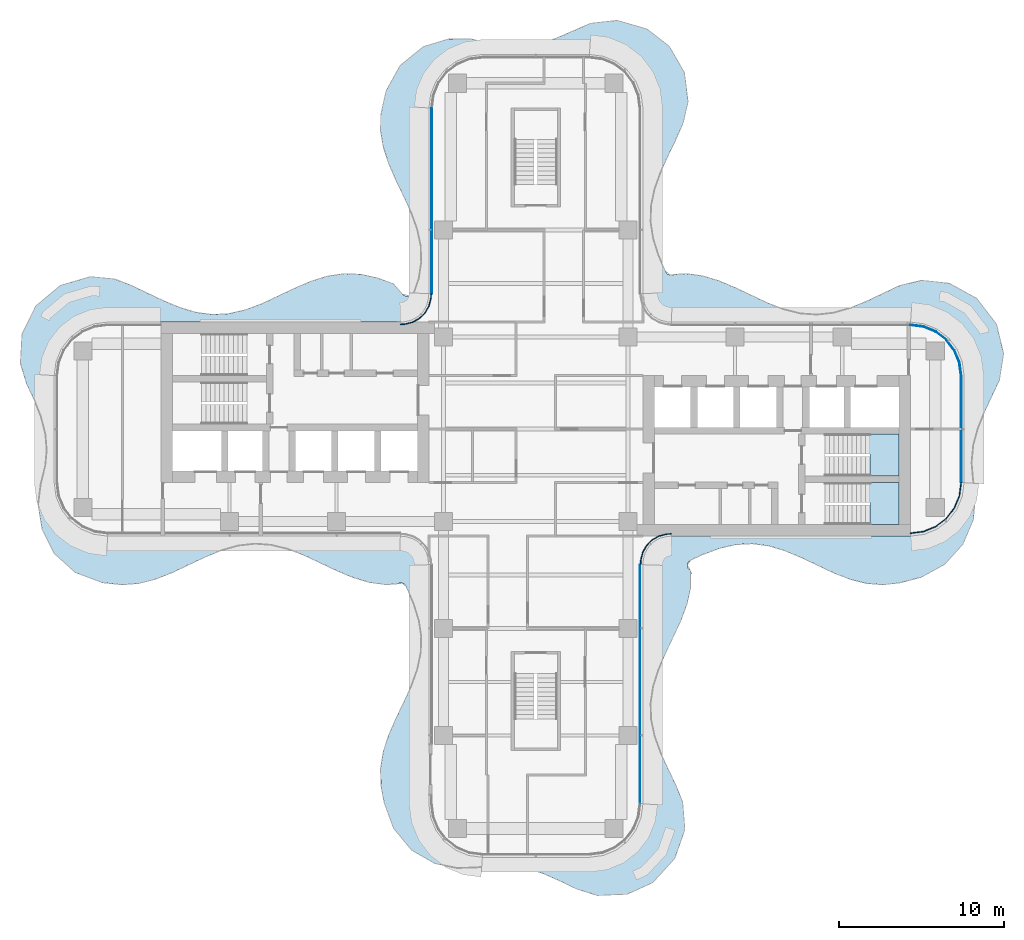
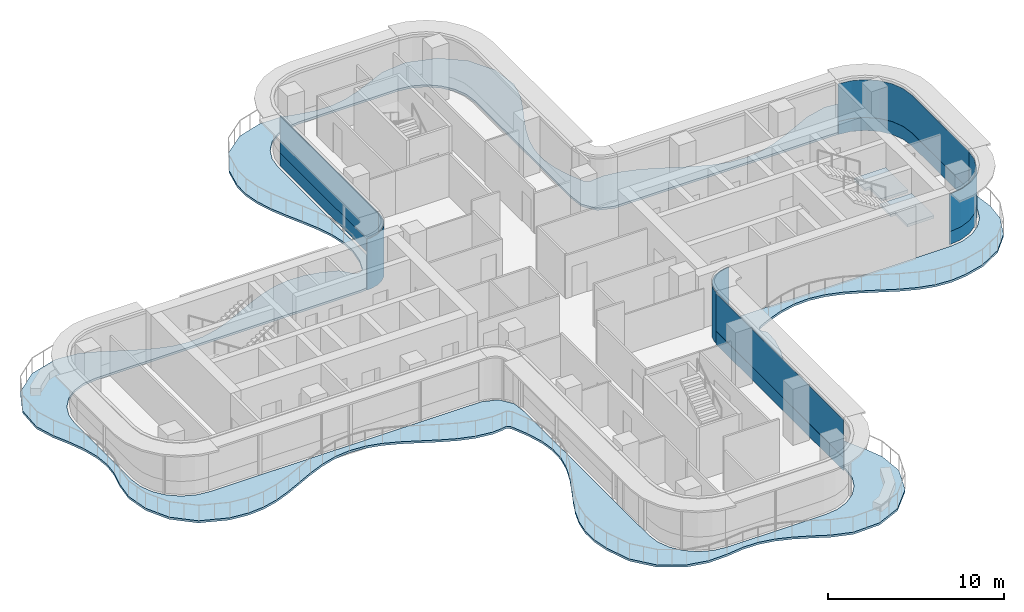
# One storey, part 10 of 17: 10 plates, 3 slabs, 8 elements without a shape of their own.
"""IFC4 building model written with IfcOpenShell, lengths in metres."""

import ifcopenshell
import ifcopenshell.guid

model = None  # the IFC model being written
_history = None  # IfcOwnerHistory: only IFC2X3 demands one
_inside = {}  # id of a spatial element -> (the spatial element, [elements in it])
_under = {}  # id of a project, library or spatial element -> (it, [spatial elements below it])
_declared = {}  # id of a project -> (the project, [libraries it declares])
_typed = {}  # id of a type object -> (the type object, [elements of that type])
_made_of = {}  # id of a material, layer set ... -> (it, [elements and type objects made of it])


def new_model(schema):
    """Start an empty IFC model of exactly this schema.

    Asked for "IFC4X3", IfcOpenShell would pick the latest addendum, in which some entities
    have other attributes; the version numbers below select the first issue.
    IFC2X3 requires an IfcOwnerHistory on every rooted entity: one is made here for all.
    """
    global model, _history
    if schema == "IFC4X3":
        model = ifcopenshell.file(schema_version=(4, 3, 0, 0))
    else:
        model = ifcopenshell.file(schema=schema)
    _inside.clear()
    _under.clear()
    _declared.clear()
    _typed.clear()
    _made_of.clear()
    _history = None
    if model.schema == "IFC2X3":
        org = make("IfcOrganization", Name="unknown")
        user = make(
            "IfcPersonAndOrganization",
            ThePerson=make("IfcPerson", FamilyName="unknown"),
            TheOrganization=org,
        )
        app = make(
            "IfcApplication",
            ApplicationDeveloper=org,
            Version="unknown",
            ApplicationFullName="unknown",
            ApplicationIdentifier="unknown",
        )
        _history = make(
            "IfcOwnerHistory",
            OwningUser=user,
            OwningApplication=app,
            ChangeAction="ADDED",
            CreationDate=0,
        )
    return model


def make(cls, **values):
    """One entity of the class cls with the attributes given. An attribute that is None is left unset."""
    return model.create_entity(
        cls, **{name: value for name, value in values.items() if value is not None}
    )


def rooted(cls, **values):
    """An entity with a GlobalId (a new one), such as an element, a storey or a relation."""
    return make(cls, GlobalId=ifcopenshell.guid.new(), OwnerHistory=_history, **values)


def si_unit(unit_type, name, prefix=None):
    """IfcSIUnit, for example si_unit("LENGTHUNIT", "METRE", prefix="MILLI")."""
    return make("IfcSIUnit", UnitType=unit_type, Prefix=prefix, Name=name)


def assignment(units):
    """IfcUnitAssignment: the units of a project."""
    return None if units is None else make("IfcUnitAssignment", Units=units)


def point(xyz):
    """IfcCartesianPoint."""
    return None if xyz is None else make("IfcCartesianPoint", Coordinates=xyz)


def direction(xyz):
    """IfcDirection."""
    return None if xyz is None else make("IfcDirection", DirectionRatios=xyz)


def frame(location, z_axis=None, x_axis=None):
    """IfcAxis2Placement3D, a coordinate frame: its origin and axes. An axis left out is left unset."""
    return make(
        "IfcAxis2Placement3D",
        Location=point(location),
        Axis=direction(z_axis),
        RefDirection=direction(x_axis),
    )


def origin():
    """The frame at (0, 0, 0) with its axes left unset."""
    return frame((0.0, 0.0, 0.0))


def place(relative_to, where):
    """IfcLocalPlacement: puts the frame where relative to a parent placement (None: the world)."""
    return make(
        "IfcLocalPlacement", PlacementRelTo=relative_to, RelativePlacement=where
    )


def context(
    kind, dimensions, precision=None, world=None, true_north=None, identifier=None
):
    """IfcGeometricRepresentationContext, for example the 3D "Model" context."""
    return make(
        "IfcGeometricRepresentationContext",
        ContextIdentifier=identifier,
        ContextType=kind,
        CoordinateSpaceDimension=dimensions,
        Precision=precision,
        WorldCoordinateSystem=world,
        TrueNorth=true_north,
    )


def subcontext(parent, identifier, kind, view, scale=None):
    """IfcGeometricRepresentationSubContext, for example "Body" below "Model"."""
    return make(
        "IfcGeometricRepresentationSubContext",
        ContextIdentifier=identifier,
        ContextType=kind,
        ParentContext=parent,
        TargetScale=scale,
        TargetView=view,
    )


def project(units=None, contexts=None):
    """IfcProject with its units and contexts."""
    return rooted(
        "IfcProject",
        Name="project",
        RepresentationContexts=contexts,
        UnitsInContext=assignment(units),
    )


def spatial(cls, under=None, at=None, **own):
    """A site, building, storey or space (cls), placed at a placement, below another one or the project."""
    s = rooted(cls, ObjectPlacement=at, **own)
    if under is not None:
        _under.setdefault(under.id(), (under, []))[1].append(s)
    return s


def polyline(points):
    """IfcPolyline through the points."""
    return make("IfcPolyline", Points=[point(p) for p in points])


def outline(outer, holes=None, kind="AREA"):
    """IfcArbitraryClosedProfileDef: a profile drawn as a closed curve; with holes, ...WithVoids."""
    if holes is None:
        return make("IfcArbitraryClosedProfileDef", ProfileType=kind, OuterCurve=outer)
    return make(
        "IfcArbitraryProfileDefWithVoids",
        ProfileType=kind,
        OuterCurve=outer,
        InnerCurves=holes,
    )


def extrude(swept, where, along, depth):
    """IfcExtrudedAreaSolid: the profile swept, set in the frame where, extruded along a direction by depth."""
    return make(
        "IfcExtrudedAreaSolid",
        SweptArea=swept,
        Position=where,
        ExtrudedDirection=direction(along),
        Depth=depth,
    )


def shape(context_of_items, identifier, shape_type, items):
    """IfcShapeRepresentation: the items that make up one representation, for example the "Body"."""
    return make(
        "IfcShapeRepresentation",
        ContextOfItems=context_of_items,
        RepresentationIdentifier=identifier,
        RepresentationType=shape_type,
        Items=items,
    )


def source(mapping_origin, context_of_items, identifier, shape_type, items):
    """IfcRepresentationMap: a shape defined once, which mapped items show again and again."""
    return make(
        "IfcRepresentationMap",
        MappingOrigin=mapping_origin,
        MappedRepresentation=shape(context_of_items, identifier, shape_type, items),
    )


def transform(
    local_origin,
    x_axis=None,
    y_axis=None,
    z_axis=None,
    scale=None,
    scale2=None,
    scale3=None,
    uniform=True,
):
    """IfcCartesianTransformationOperator3D, or its non-uniform kind. x_axis, y_axis, z_axis: its Axis1, 2, 3."""
    if uniform:
        return make(
            "IfcCartesianTransformationOperator3D",
            Axis1=direction(x_axis),
            Axis2=direction(y_axis),
            LocalOrigin=point(local_origin),
            Scale=scale,
            Axis3=direction(z_axis),
        )
    return make(
        "IfcCartesianTransformationOperator3DnonUniform",
        Axis1=direction(x_axis),
        Axis2=direction(y_axis),
        LocalOrigin=point(local_origin),
        Scale=scale,
        Axis3=direction(z_axis),
        Scale2=scale2,
        Scale3=scale3,
    )


def mapped(mapping_source, mapping_target):
    """IfcMappedItem: shows the shape of a source again, moved by a transform."""
    return make(
        "IfcMappedItem", MappingSource=mapping_source, MappingTarget=mapping_target
    )


def material(Name=None, Category=None):
    """IfcMaterial."""
    return make("IfcMaterial", Name=Name, Category=Category)


def layer(
    of_material, thickness, ventilated=None, Name=None, Category=None, Priority=None
):
    """IfcMaterialLayer: one layer of a wall or slab, of a material (None: an air gap)."""
    return make(
        "IfcMaterialLayer",
        Material=of_material,
        LayerThickness=thickness,
        IsVentilated=ventilated,
        Name=Name,
        Category=Category,
        Priority=Priority,
    )


def layer_set(layers, Name=None):
    """IfcMaterialLayerSet."""
    return make("IfcMaterialLayerSet", MaterialLayers=layers, LayerSetName=Name)


def made_of(thing, what):
    """Note that an element or type object is made of a material, layer set ...; save() writes the relation."""
    if what is not None:
        _made_of.setdefault(what.id(), (what, []))[1].append(thing)
    return thing


def type_object(cls, material=None, **own):
    """A type object (cls), such as IfcWallType, which elements share."""
    return made_of(rooted(cls, **own), material)


def element(
    cls,
    number,
    at=None,
    inside=None,
    cuts=None,
    type_object=None,
    material=None,
    context=None,
    identifier="Body",
    shape_type=None,
    held_by="IfcProductDefinitionShape",
    body=None,
    shapes=None,
    **own,
):
    """One element of the class cls, such as IfcWall. Its Tag is "e" and its number.

    at: its placement. inside: the storey or other place that contains it. cuts: it is an
    opening in that element (IfcRelVoidsElement). A single representation is given by context,
    identifier, shape_type and body (its items); several are given by shapes. held_by: the class
    of the entity that holds the representations. save() writes the other relations.
    """
    e = rooted(cls, Tag="e%d" % number, ObjectPlacement=at, **own)
    if body is not None:
        shapes = [shape(context, identifier, shape_type, body)]
    if shapes is not None:
        e.Representation = make(held_by, Representations=shapes)
    if inside is not None:
        _inside.setdefault(inside.id(), (inside, []))[1].append(e)
    if cuts is not None:
        rooted(
            "IfcRelVoidsElement", RelatingBuildingElement=cuts, RelatedOpeningElement=e
        )
    if type_object is not None:
        _typed.setdefault(type_object.id(), (type_object, []))[1].append(e)
    return made_of(e, material)


def aggregate(whole, parts):
    """IfcRelAggregates: a whole, such as a stair, and the parts it consists of."""
    return rooted("IfcRelAggregates", RelatingObject=whole, RelatedObjects=parts)


def save(model, path):
    """Write the relations noted so far, then the file.

    IfcRelAggregates (storeys below a building ...), IfcRelContainedInSpatialStructure (elements
    in a storey), IfcRelDefinesByType, IfcRelAssociatesMaterial and IfcRelDeclares: one each for
    every whole, place, type object, material and project.
    """
    for whole, parts in _under.values():
        aggregate(whole, parts)
    for where, things in _inside.values():
        rooted(
            "IfcRelContainedInSpatialStructure",
            RelatedElements=things,
            RelatingStructure=where,
        )
    for kind, things in _typed.values():
        rooted("IfcRelDefinesByType", RelatedObjects=things, RelatingType=kind)
    for what, things in _made_of.values():
        rooted("IfcRelAssociatesMaterial", RelatedObjects=things, RelatingMaterial=what)
    for by, libraries in _declared.values():
        rooted("IfcRelDeclares", RelatingContext=by, RelatedDefinitions=libraries)
    model.write(path)


model = new_model("IFC4")

# Units and contexts
model_context = context("Model", 3, precision=1e-05, world=origin(), true_north=direction((0.0, 1.0)))
body_context = subcontext(model_context, "Body", "Model", "MODEL_VIEW")
ifc_project = project(units=[si_unit("LENGTHUNIT", "METRE"), si_unit("AREAUNIT", "SQUARE_METRE"), si_unit("VOLUMEUNIT", "CUBIC_METRE"), si_unit("PLANEANGLEUNIT", "RADIAN"), si_unit("MASSUNIT", "GRAM", prefix="KILO")], contexts=[model_context])

# Site, building, storey
site_placement = place(None, origin())
site = spatial("IfcSite", under=ifc_project, at=site_placement, CompositionType="ELEMENT")
building_placement = place(site_placement, origin())
building = spatial("IfcBuilding", under=site, at=building_placement, Name="Trellis Farm Tower", CompositionType="ELEMENT")
storey_placement = place(building_placement, frame((0.0, 0.0, 240.199951171875)))
storey = spatial("IfcBuildingStorey", under=building, at=storey_placement, Name="L53", CompositionType="ELEMENT", Elevation=240.199951171875)

# Slab
ifc_material_1 = material(Name="Concrete C40/50", Category="concrete")
ifc_layer_1 = layer(ifc_material_1, 0.14990234375)
ifc_layer_set_1 = layer_set([ifc_layer_1], Name="Balcony slab 150")
slab_type_1 = type_object("IfcSlabType", Name="Balcony slab 150", PredefinedType="FLOOR", material=ifc_layer_set_1)
slab_1_placement = place(storey_placement, frame((0.0, 0.0, -0.14990234375)))
element("IfcSlab", 1, at=slab_1_placement, inside=storey, type_object=slab_type_1, Name="Balcony slab", PredefinedType="FLOOR", context=body_context, shape_type="SweptSolid", body=[
    extrude(outline(polyline([(-8.15869140625, -9.347900390625), (-8.296630859375, -9.357666015625), (-8.314208984375, -9.361083984375), (-8.3984375, -9.387939453125), (-8.432861328125, -9.39453125), (-9.076171875, -9.4423828125), (-9.107177734375, -9.441650390625), (-10.1103515625, -9.3076171875), (-10.1337890625, -9.302490234375), (-11.109130859375, -9.00830078125), (-11.124267578125, -9.002685546875), (-12.108154296875, -8.587646484375), (-12.114013671875, -8.5849609375), (-14.091796875, -7.64990234375), (-14.096923828125, -7.647705078125), (-15.079345703125, -7.2705078125), (-15.08837890625, -7.267578125), (-16.068359375, -7.02685546875), (-16.080810546875, -7.02490234375), (-17.0634765625, -6.95458984375), (-17.077392578125, -6.954833984375), (-18.06787109375, -7.06787109375), (-18.079833984375, -7.0703125), (-19.078125, -7.353515625), (-19.086181640625, -7.356201171875), (-20.10693359375, -7.77685546875), (-20.1103515625, -7.7783203125), (-22.09912109375, -8.719970703125), (-22.108642578125, -8.72412109375), (-23.099365234375, -9.111328125), (-23.1171875, -9.116943359375), (-24.09912109375, -9.365966796875), (-24.124267578125, -9.3701171875), (-25.098388671875, -9.447021484375), (-25.12548828125, -9.446533203125), (-26.296875, -9.326416015625), (-26.33447265625, -9.3173828125), (-27.950927734375, -8.70849609375), (-27.976806640625, -8.69580078125), (-28.007568359375, -8.6767578125), (-28.030029296875, -8.659912109375), (-29.223876953125, -7.570556640625), (-29.241943359375, -7.55078125), (-29.262939453125, -7.5234375), (-29.277587890625, -7.5), (-29.966064453125, -6.13720703125), (-29.97998046875, -6.09423828125), (-30.226806640625, -4.6181640625), (-30.2275390625, -4.57421875), (-30.06689453125, -3.322509765625), (-30.063720703125, -3.305419921875), (-29.7958984375, -2.229736328125), (-29.7939453125, -2.218994140625), (-29.703857421875, -1.291015625), (-29.703857421875, -1.277587890625), (-29.786376953125, -0.288330078125), (-29.788330078125, -0.275634765625), (-30.05859375, 0.76171875), (-30.061279296875, 0.7705078125), (-30.4521484375, 1.75341796875), (-30.4541015625, 1.757568359375), (-30.918701171875, 2.7470703125), (-30.926513671875, 2.7666015625), (-31.29931640625, 3.976806640625), (-31.304931640625, 4.0029296875), (-31.30908203125, 4.03759765625), (-31.31005859375, 4.064453125), (-31.213134765625, 5.71240234375), (-31.20849609375, 5.741455078125), (-31.19873046875, 5.778564453125), (-31.188720703125, 5.80615234375), (-30.405517578125, 7.417236328125), (-30.388916015625, 7.443603515625), (-30.3642578125, 7.4755859375), (-30.342529296875, 7.498046875), (-28.938720703125, 8.682861328125), (-28.9130859375, 8.7001953125), (-28.877685546875, 8.71923828125), (-28.848876953125, 8.731201171875), (-27.080078125, 9.24951171875), (-27.052001953125, 9.2548828125), (-27.015380859375, 9.25830078125), (-26.986328125, 9.25830078125), (-25.59912109375, 9.119140625), (-25.559814453125, 9.109619140625), (-24.601806640625, 8.73779296875), (-24.591796875, 8.733642578125), (-22.61328125, 7.797119140625), (-22.610107421875, 7.7958984375), (-21.6259765625, 7.384033203125), (-21.618408203125, 7.38134765625), (-20.63818359375, 7.09033203125), (-20.626708984375, 7.087890625), (-19.6455078125, 6.958251953125), (-19.6318359375, 6.957763671875), (-18.644287109375, 7.009765625), (-18.631103515625, 7.011474609375), (-17.591796875, 7.25439453125), (-17.582275390625, 7.25732421875), (-16.600341796875, 7.629638671875), (-16.5947265625, 7.6318359375), (-14.6171875, 8.56591796875), (-14.61181640625, 8.568359375), (-13.627197265625, 8.9873046875), (-13.61279296875, 8.99267578125), (-12.63671875, 9.293212890625), (-12.6142578125, 9.29833984375), (-11.643310546875, 9.438720703125), (-11.615478515625, 9.440185546875), (-10.61279296875, 9.3974609375), (-10.58642578125, 9.393798828125), (-9.614013671875, 9.17626953125), (-9.594970703125, 9.170654296875), (-8.67919921875, 8.83349609375), (-8.643798828125, 8.81494140625), (-8.602294921875, 8.78515625), (-8.573974609375, 8.759033203125), (-8.102294921875, 8.19140625), (-8.08349609375, 8.175048828125), (-7.9306640625, 8.082763671875), (-7.886962890625, 8.072265625), (-7.7080078125, 8.0869140625), (-7.685302734375, 8.09228515625), (-7.59326171875, 8.13037109375), (-7.579345703125, 8.1376953125), (-7.47900390625, 8.206787109375), (-7.457763671875, 8.229248046875), (-7.39404296875, 8.3330078125), (-7.38720703125, 8.34765625), (-7.116455078125, 9.129638671875), (-7.113037109375, 9.142822265625), (-6.963623046875, 10.128662109375), (-6.962890625, 10.142333984375), (-6.995361328125, 11.12646484375), (-6.996826171875, 11.139404296875), (-7.2041015625, 12.119384765625), (-7.20703125, 12.129150390625), (-7.548828125, 13.084228515625), (-7.551025390625, 13.08984375), (-8.00634765625, 14.09521484375), (-8.007080078125, 14.096923828125), (-8.490966796875, 15.099365234375), (-8.4931640625, 15.104248046875), (-8.923583984375, 16.083984375), (-8.9287109375, 16.09716796875), (-9.25244140625, 17.07421875), (-9.2578125, 17.095703125), (-9.427001953125, 18.067138671875), (-9.42919921875, 18.09423828125), (-9.420654296875, 19.062255859375), (-9.4169921875, 19.093017578125), (-9.110107421875, 20.5), (-9.0947265625, 20.541015625), (-8.240478515625, 22.082275390625), (-8.223876953125, 22.106201171875), (-8.199462890625, 22.13525390625), (-8.178466796875, 22.155517578125), (-6.8837890625, 23.191650390625), (-6.860595703125, 23.20703125), (-6.8291015625, 23.223876953125), (-6.802490234375, 23.23486328125), (-5.299560546875, 23.695556640625), (-5.253173828125, 23.7021484375), (-3.911376953125, 23.68017578125), (-3.879638671875, 23.67626953125), (-2.760498046875, 23.414306640625), (-2.757080078125, 23.413818359375), (-1.789306640625, 23.232666015625), (-1.775634765625, 23.231201171875), (-0.727783203125, 23.227294921875), (-0.714111328125, 23.228515625), (0.26611328125, 23.408203125), (0.2763671875, 23.410888671875), (1.227783203125, 23.73046875), (1.233642578125, 23.73291015625), (3.321533203125, 24.63818359375), (3.365234375, 24.649658203125), (4.930908203125, 24.8173828125), (4.9609375, 24.8173828125), (4.99853515625, 24.81396484375), (5.02734375, 24.808349609375), (6.71337890625, 24.304931640625), (6.7392578125, 24.29443359375), (6.771484375, 24.27783203125), (6.794921875, 24.2626953125), (8.09423828125, 23.249267578125), (8.115478515625, 23.22900390625), (8.140380859375, 23.2001953125), (8.1572265625, 23.176025390625), (9.00341796875, 21.682373046875), (9.015380859375, 21.655517578125), (9.02734375, 21.619140625), (9.033935546875, 21.59033203125), (9.241455078125, 19.886474609375), (9.2421875, 19.859619140625), (9.240234375, 19.82470703125), (9.236083984375, 19.7978515625), (8.943115234375, 18.60009765625), (8.934814453125, 18.575927734375), (8.512939453125, 17.608154296875), (8.510498046875, 17.60302734375), (8.02734375, 16.6005859375), (8.026611328125, 16.599365234375), (7.568603515625, 15.59375), (7.566162109375, 15.588134765625), (7.2060546875, 14.586669921875), (7.203125, 14.57666015625), (6.99462890625, 13.58154296875), (6.9931640625, 13.568359375), (6.964111328125, 12.581787109375), (6.965087890625, 12.568115234375), (7.1162109375, 11.587646484375), (7.118896484375, 11.576416015625), (7.427734375, 10.595703125), (7.430419921875, 10.5888671875), (7.85302734375, 9.604248046875), (7.8544921875, 9.601318359375), (7.880126953125, 9.548095703125), (7.8896484375, 9.533203125), (7.977294921875, 9.426025390625), (8.00537109375, 9.405029296875), (8.124267578125, 9.353759765625), (8.15869140625, 9.347900390625), (8.296630859375, 9.357666015625), (8.314208984375, 9.361083984375), (8.398193359375, 9.3876953125), (8.433349609375, 9.39453125), (9.11279296875, 9.44140625), (9.143310546875, 9.4404296875), (10.110595703125, 9.3076171875), (10.133544921875, 9.302734375), (11.109130859375, 9.00830078125), (11.124267578125, 9.002685546875), (12.108154296875, 8.587646484375), (12.114013671875, 8.5849609375), (14.091796875, 7.64990234375), (14.096923828125, 7.647705078125), (15.079345703125, 7.2705078125), (15.08837890625, 7.267578125), (16.068359375, 7.02685546875), (16.080810546875, 7.02490234375), (17.0634765625, 6.95458984375), (17.077392578125, 6.954833984375), (18.06787109375, 7.06787109375), (18.079833984375, 7.0703125), (19.078125, 7.353515625), (19.086181640625, 7.356201171875), (20.10693359375, 7.77685546875), (20.1103515625, 7.7783203125), (22.06884765625, 8.7060546875), (22.097412109375, 8.71630859375), (23.392578125, 9.033935546875), (23.4189453125, 9.037841796875), (23.452880859375, 9.0400390625), (23.4794921875, 9.039306640625), (25.099609375, 8.85400390625), (25.128662109375, 8.84765625), (25.165283203125, 8.835693359375), (25.1923828125, 8.82373046875), (26.741455078125, 7.9541015625), (26.766357421875, 7.9365234375), (26.7958984375, 7.910888671875), (26.816650390625, 7.888916015625), (27.935791015625, 6.43017578125), (27.9521484375, 6.4033203125), (27.969482421875, 6.366943359375), (27.97998046875, 6.33740234375), (28.400146484375, 4.591796875), (28.404052734375, 4.5625), (28.405517578125, 4.5244140625), (28.403564453125, 4.493896484375), (28.157470703125, 3.018310546875), (28.145263671875, 2.979248046875), (27.2138671875, 0.9912109375), (27.212158203125, 0.9873046875), (26.825439453125, 0.023193359375), (26.82275390625, 0.01513671875), (26.556396484375, -0.96484375), (26.55419921875, -0.977294921875), (26.45361328125, -2.023681640625), (26.45361328125, -2.03759765625), (26.538818359375, -2.995361328125), (26.5390625, -2.997802734375), (26.681884765625, -4.165771484375), (26.6826171875, -4.19775390625), (26.564208984375, -5.48486328125), (26.552978515625, -5.529541015625), (25.953857421875, -6.947021484375), (25.927490234375, -6.988525390625), (24.863525390625, -8.17626953125), (24.82470703125, -8.20751953125), (23.423095703125, -8.984130859375), (23.388427734375, -8.998046875), (22.121337890625, -9.330810546875), (22.099853515625, -9.334716796875), (21.09716796875, -9.4462890625), (21.069091796875, -9.44677734375), (20.098388671875, -9.372314453125), (20.073486328125, -9.368408203125), (19.120849609375, -9.130615234375), (19.10302734375, -9.125), (18.101806640625, -8.73779296875), (18.091796875, -8.733642578125), (16.11328125, -7.797119140625), (16.110107421875, -7.7958984375), (15.1259765625, -7.384033203125), (15.118408203125, -7.38134765625), (14.13818359375, -7.09033203125), (14.126708984375, -7.087890625), (13.1455078125, -6.958251953125), (13.1318359375, -6.957763671875), (12.144287109375, -7.009765625), (12.13134765625, -7.011474609375), (11.13525390625, -7.2412109375), (11.125732421875, -7.244140625), (10.10009765625, -7.629638671875), (10.094970703125, -7.6318359375), (9.401123046875, -7.953857421875), (9.3837890625, -7.965087890625), (9.261962890625, -8.070068359375), (9.239990234375, -8.10400390625), (9.1953125, -8.247314453125), (9.1943359375, -8.28759765625), (9.232177734375, -8.43310546875), (9.252685546875, -8.468017578125), (9.369140625, -8.57861328125), (9.3759765625, -8.58349609375), (9.4384765625, -8.71240234375), (9.3974609375, -9.611572265625), (9.39404296875, -9.63720703125), (9.182861328125, -10.58740234375), (9.17724609375, -10.606689453125), (8.8095703125, -11.6083984375), (8.804931640625, -11.619384765625), (8.351318359375, -12.607177734375), (8.35009765625, -12.609619140625), (7.873779296875, -13.59814453125), (7.872314453125, -13.60107421875), (7.433837890625, -14.6181640625), (7.431396484375, -14.62548828125), (7.11669921875, -15.625), (7.114013671875, -15.636474609375), (6.963623046875, -16.628662109375), (6.962890625, -16.642333984375), (6.995361328125, -17.62646484375), (6.996826171875, -17.639404296875), (7.2041015625, -18.619384765625), (7.20703125, -18.629150390625), (7.5595703125, -19.611083984375), (7.56201171875, -19.61669921875), (8.010009765625, -20.602783203125), (8.010498046875, -20.604248046875), (8.486328125, -21.589599609375), (8.490234375, -21.598388671875), (8.909912109375, -22.630126953125), (8.92041015625, -22.67431640625), (9.051513671875, -24.25), (9.05078125, -24.281982421875), (9.04541015625, -24.32177734375), (9.0380859375, -24.352294921875), (8.428466796875, -26.07421875), (8.415283203125, -26.101806640625), (8.39501953125, -26.1357421875), (8.376708984375, -26.16015625), (7.1220703125, -27.510498046875), (7.099365234375, -27.530517578125), (7.06787109375, -27.55322265625), (7.041748046875, -27.568115234375), (5.544921875, -28.23681640625), (5.518310546875, -28.245849609375), (5.483154296875, -28.254150390625), (5.4541015625, -28.258056640625), (3.77490234375, -28.320556640625), (3.724609375, -28.313720703125), (2.49658203125, -27.92919921875), (2.476318359375, -27.9208984375), (1.494873046875, -27.447021484375), (1.49267578125, -27.446044921875), (0.48779296875, -26.999755859375), (0.4814453125, -26.997314453125), (-0.470703125, -26.672119140625), (-0.480712890625, -26.669189453125), (-1.4609375, -26.482666015625), (-1.47412109375, -26.481201171875), (-2.46875, -26.4716796875), (-2.47900390625, -26.472412109375), (-3.573974609375, -26.61328125), (-3.589111328125, -26.614501953125), (-4.7978515625, -26.647705078125), (-4.83251953125, -26.64453125), (-6.128662109375, -26.375244140625), (-6.173095703125, -26.358154296875), (-7.52392578125, -25.578369140625), (-7.54638671875, -25.5625), (-7.572509765625, -25.5400390625), (-7.59130859375, -25.52099609375), (-8.63671875, -24.2431640625), (-8.66162109375, -24.19921875), (-9.2119140625, -22.68359375), (-9.21826171875, -22.659912109375), (-9.410888671875, -21.625244140625), (-9.413330078125, -21.6005859375), (-9.432373046875, -20.597900390625), (-9.430419921875, -20.5703125), (-9.268310546875, -19.59912109375), (-9.262939453125, -19.577392578125), (-8.950927734375, -18.61669921875), (-8.94580078125, -18.60302734375), (-8.512939453125, -17.608154296875), (-8.510498046875, -17.602783203125), (-8.02734375, -16.6005859375), (-8.026611328125, -16.599365234375), (-7.568603515625, -15.59375), (-7.566162109375, -15.588134765625), (-7.2060546875, -14.586669921875), (-7.203125, -14.57666015625), (-6.99462890625, -13.58154296875), (-6.9931640625, -13.568359375), (-6.964111328125, -12.58154296875), (-6.965087890625, -12.568359375), (-7.104248046875, -11.64013671875), (-7.106689453125, -11.629150390625), (-7.427490234375, -10.59619140625), (-7.430419921875, -10.58837890625), (-7.8798828125, -9.549560546875), (-7.890625, -9.531982421875), (-7.977294921875, -9.426025390625), (-8.00537109375, -9.405029296875), (-8.124267578125, -9.353759765625), (-8.15869140625, -9.347900390625)]), holes=[polyline([(-7.210693359375, -6.823974609375), (-7.16552734375, -6.857421875), (-7.133056640625, -6.890380859375), (-6.643798828125, -7.5703125), (-6.62548828125, -7.604248046875), (-6.608154296875, -7.64990234375), (-6.59912109375, -7.6875), (-6.500732421875, -8.61181640625), (-6.50048828125, -8.616455078125), (-6.50048828125, -22.75), (-6.389892578125, -23.59130859375), (-6.065185546875, -24.375244140625), (-5.548583984375, -25.048583984375), (-4.875244140625, -25.565185546875), (-4.09130859375, -25.889892578125), (-3.25, -26.00048828125), (3.25, -26.00048828125), (4.09130859375, -25.889892578125), (4.875244140625, -25.565185546875), (5.548583984375, -25.048583984375), (6.065185546875, -24.375244140625), (6.389892578125, -23.59130859375), (6.50048828125, -22.75), (6.50048828125, -8.616455078125), (6.500732421875, -8.61181640625), (6.59912109375, -7.6875), (6.608154296875, -7.64990234375), (6.62548828125, -7.604248046875), (6.643798828125, -7.5703125), (7.133056640625, -6.890380859375), (7.16552734375, -6.857421875), (7.210693359375, -6.823974609375), (7.252685546875, -6.802001953125), (8.116455078125, -6.515380859375), (8.16357421875, -6.507568359375), (20.997802734375, -6.50048828125), (22.75, -6.50048828125), (23.59130859375, -6.389892578125), (24.375244140625, -6.065185546875), (25.048583984375, -5.548583984375), (25.565185546875, -4.875244140625), (25.889892578125, -4.09130859375), (26.00048828125, -3.25), (26.00048828125, 3.25), (25.889892578125, 4.09130859375), (25.565185546875, 4.875244140625), (25.048583984375, 5.548583984375), (24.375244140625, 6.065185546875), (23.59130859375, 6.389892578125), (22.75, 6.50048828125), (20.997802734375, 6.50048828125), (8.16357421875, 6.507568359375), (8.116455078125, 6.515380859375), (7.252685546875, 6.802001953125), (7.210693359375, 6.823974609375), (7.16552734375, 6.857421875), (7.133056640625, 6.890380859375), (6.643798828125, 7.5703125), (6.62548828125, 7.604248046875), (6.608154296875, 7.64990234375), (6.59912109375, 7.6875), (6.501953125, 8.593017578125), (6.5009765625, 8.609130859375), (6.50048828125, 12.591552734375), (6.50048828125, 19.5), (6.389892578125, 20.34130859375), (6.065185546875, 21.125244140625), (5.548583984375, 21.798583984375), (4.875244140625, 22.315185546875), (4.09130859375, 22.639892578125), (3.25, 22.75048828125), (-3.25, 22.75048828125), (-4.09130859375, 22.639892578125), (-4.875244140625, 22.315185546875), (-5.548583984375, 21.798583984375), (-6.065185546875, 21.125244140625), (-6.389892578125, 20.34130859375), (-6.50048828125, 19.5), (-6.50048828125, 18.26318359375), (-6.508056640625, 8.158203125), (-6.515869140625, 8.110595703125), (-6.8046875, 7.248046875), (-6.82666015625, 7.205810546875), (-6.860595703125, 7.16064453125), (-6.8935546875, 7.12841796875), (-7.575927734375, 6.64208984375), (-7.60986328125, 6.623779296875), (-7.6552734375, 6.606689453125), (-7.69287109375, 6.59765625), (-8.61767578125, 6.500732421875), (-8.62158203125, 6.50048828125), (-26.0, 6.50048828125), (-26.84130859375, 6.389892578125), (-27.625244140625, 6.065185546875), (-28.298583984375, 5.548583984375), (-28.815185546875, 4.875244140625), (-29.139892578125, 4.09130859375), (-29.25048828125, 3.25), (-29.25048828125, -3.25), (-29.139892578125, -4.09130859375), (-28.815185546875, -4.875244140625), (-28.298583984375, -5.548583984375), (-27.625244140625, -6.065185546875), (-26.84130859375, -6.389892578125), (-26.0, -6.50048828125), (-23.765625, -6.50048828125), (-8.16357421875, -6.507568359375), (-8.116455078125, -6.515380859375), (-7.252685546875, -6.802001953125), (-7.210693359375, -6.823974609375)])]), origin(), (0.0, 0.0, 1.0), 0.14990234375),
])

# Stair, slab
ifc_material_2 = material(Name="Concrete C50/60", Category="concrete")
stair_type = type_object("IfcStairType", Name="CORE EXIT STAIR 22 RISERS 177 MM", PredefinedType="HALF_TURN_STAIR", material=ifc_material_2)
placement_1 = place(storey_placement, origin())
stair_1 = element("IfcStair", 2, at=placement_1, inside=storey, type_object=stair_type, Name="Exit stair E1", PredefinedType="HALF_TURN_STAIR")
ifc_layer_2 = layer(ifc_material_2, 0.18994140625)
ifc_layer_set_2 = layer_set([ifc_layer_2], Name="CORE STAIR LANDING 190 CONCRETE C50/60")
slab_type_2 = type_object("IfcSlabType", Name="CORE STAIR LANDING 190 CONCRETE C50/60", PredefinedType="LANDING", material=ifc_layer_set_2)
shared_shape_1 = source(origin(), body_context, "Body", "SweptSolid", [
    extrude(outline(polyline([(20.2900390625, -5.800048828125), (20.2900390625, -4.60009765625), (20.300048828125, -4.60009765625), (20.300048828125, -4.449951171875), (19.971923828125, -4.449951171875), (19.971923828125, -3.25), (20.300048828125, -3.25), (22.050048828125, -3.25), (22.050048828125, -5.800048828125), (20.300048828125, -5.800048828125), (20.2900390625, -5.800048828125)])), origin(), (0.0, 0.0, 1.0), 0.18994140625),
])
placement_2 = place(storey_placement, frame((0.0, 0.0, 1.760009765625)))
slab_2 = element("IfcSlab", 3, at=placement_2, type_object=slab_type_2, Name="STE1 landing 1", PredefinedType="LANDING", context=body_context, shape_type="MappedRepresentation", body=[
    mapped(shared_shape_1, transform((0.0, 0.0, 0.0))),
])
aggregate(stair_1, [slab_2])

stair_2 = element("IfcStair", 4, at=placement_1, inside=storey, type_object=stair_type, Name="Exit stair E2", PredefinedType="HALF_TURN_STAIR")
shared_shape_2 = source(origin(), body_context, "Body", "SweptSolid", [
    extrude(outline(polyline([(20.2900390625, -2.85009765625), (20.2900390625, -1.64990234375), (20.300048828125, -1.64990234375), (20.300048828125, -1.5), (19.971923828125, -1.5), (19.971923828125, -0.300048828125), (20.300048828125, -0.300048828125), (22.050048828125, -0.300048828125), (22.050048828125, -2.85009765625), (20.300048828125, -2.85009765625), (20.2900390625, -2.85009765625)])), origin(), (0.0, 0.0, 1.0), 0.18994140625),
])
slab_3 = element("IfcSlab", 5, at=placement_2, type_object=slab_type_2, Name="STE2 landing 1", PredefinedType="LANDING", context=body_context, shape_type="MappedRepresentation", body=[
    mapped(shared_shape_2, transform((0.0, 0.0, 0.0))),
])
aggregate(stair_2, [slab_3])

# Curtain wall, plate
ifc_material_3 = material(Name="Aluminium and glass curtain wall", Category="aluminium")
ifc_layer_3 = layer(ifc_material_3, 0.166015625)
ifc_layer_set_3 = layer_set([ifc_layer_3], Name="WINTER GARDEN CURTAIN WALL CW3")
curtain_wall_type_1 = type_object("IfcCurtainWallType", Name="WINTER GARDEN CURTAIN WALL CW3", PredefinedType="NOTDEFINED", material=ifc_layer_set_3)
curtain_wall_1 = element("IfcCurtainWall", 6, at=placement_1, inside=storey, type_object=curtain_wall_type_1, Name="CW3 002", PredefinedType="NOTDEFINED")
ifc_material_4 = material(Name="Clear insulated glass", Category="glass")
ifc_layer_4 = layer(ifc_material_4, 0.0458984375)
ifc_layer_set_4 = layer_set([ifc_layer_4], Name="CW3 GLASS PANEL 46")
plate_type_1 = type_object("IfcPlateType", Name="CW3 GLASS PANEL 46", PredefinedType="CURTAIN_PANEL", material=ifc_layer_set_4)
shared_shape_3 = source(origin(), body_context, "Body", "SweptSolid", [
    extrude(outline(polyline([(6.3798828125, -8.2275390625), (6.394287109375, -8.0078125), (6.40966796875, -7.89208984375), (6.52490234375, -7.462158203125), (6.7509765625, -7.070556640625), (7.070556640625, -6.7509765625), (7.462158203125, -6.52490234375), (7.89208984375, -6.40966796875), (8.0078125, -6.394287109375), (8.2275390625, -6.3798828125), (8.22607421875, -6.333984375), (8.003173828125, -6.3486328125), (7.883056640625, -6.364501953125), (7.4443359375, -6.48193359375), (7.04248046875, -6.714111328125), (6.714111328125, -7.04248046875), (6.48193359375, -7.4443359375), (6.364501953125, -7.883056640625), (6.3486328125, -8.003173828125), (6.333984375, -8.22607421875), (6.3798828125, -8.2275390625)])), origin(), (0.0, 0.0, 1.0), 3.550048828125),
])
plate_1 = element("IfcPlate", 7, at=placement_1, type_object=plate_type_1, Name="PL3 002", PredefinedType="CURTAIN_PANEL", context=body_context, shape_type="MappedRepresentation", body=[
    mapped(shared_shape_3, transform((0.0, 0.0, 0.0))),
])
aggregate(curtain_wall_1, [plate_1])

curtain_wall_2 = element("IfcCurtainWall", 8, at=placement_1, inside=storey, type_object=curtain_wall_type_1, Name="CW3 004", PredefinedType="NOTDEFINED")
shared_shape_4 = source(origin(), body_context, "Body", "SweptSolid", [
    extrude(outline(polyline([(-6.3798828125, 8.2275390625), (-6.394287109375, 8.0078125), (-6.40966796875, 7.89208984375), (-6.52490234375, 7.462158203125), (-6.7509765625, 7.070556640625), (-7.070556640625, 6.7509765625), (-7.462158203125, 6.52490234375), (-7.89208984375, 6.40966796875), (-8.0078125, 6.394287109375), (-8.2275390625, 6.3798828125), (-8.22607421875, 6.333984375), (-8.003173828125, 6.3486328125), (-7.883056640625, 6.364501953125), (-7.4443359375, 6.48193359375), (-7.04248046875, 6.714111328125), (-6.714111328125, 7.04248046875), (-6.48193359375, 7.4443359375), (-6.364501953125, 7.883056640625), (-6.3486328125, 8.003173828125), (-6.333984375, 8.22607421875), (-6.3798828125, 8.2275390625)])), origin(), (0.0, 0.0, 1.0), 3.550048828125),
])
plate_2 = element("IfcPlate", 9, at=placement_1, type_object=plate_type_1, Name="PL3 004", PredefinedType="CURTAIN_PANEL", context=body_context, shape_type="MappedRepresentation", body=[
    mapped(shared_shape_4, transform((0.0, 0.0, 0.0))),
])
aggregate(curtain_wall_2, [plate_2])

# Curtain wall, plates
ifc_layer_5 = layer(ifc_material_3, 0.18994140625)
ifc_layer_set_5 = layer_set([ifc_layer_5], Name="RIBBON CURTAIN WALL CW1")
curtain_wall_type_2 = type_object("IfcCurtainWallType", Name="RIBBON CURTAIN WALL CW1", PredefinedType="NOTDEFINED", material=ifc_layer_set_5)
curtain_wall_3 = element("IfcCurtainWall", 10, at=placement_1, inside=storey, type_object=curtain_wall_type_2, Name="CW1 011", PredefinedType="NOTDEFINED")
ifc_layer_6 = layer(ifc_material_4, 0.0400390625)
ifc_layer_set_6 = layer_set([ifc_layer_6], Name="CW1 GLASS PANEL 40")
plate_type_2 = type_object("IfcPlateType", Name="CW1 GLASS PANEL 40", PredefinedType="CURTAIN_PANEL", material=ifc_layer_set_6)
shared_shape_5 = source(origin(), body_context, "Body", "SweptSolid", [
    extrude(outline(polyline([(-6.35009765625, 19.490234375), (-6.35009765625, 8.2265625), (-6.31005859375, 8.22509765625), (-6.31005859375, 19.487548828125), (-6.35009765625, 19.490234375)])), origin(), (0.0, 0.0, 1.0), 2.619873046875),
])
placement_3 = place(storey_placement, frame((0.0, 0.0, 0.900146484375)))
plate_3 = element("IfcPlate", 11, at=placement_3, type_object=plate_type_2, Name="PL1 011", PredefinedType="CURTAIN_PANEL", context=body_context, shape_type="MappedRepresentation", body=[
    mapped(shared_shape_5, transform((0.0, 0.0, 0.0))),
])
ifc_material_5 = material(Name="Sandstone faced insulated panel", Category="masonry")
ifc_layer_7 = layer(ifc_material_5, 0.050048828125)
ifc_layer_set_7 = layer_set([ifc_layer_7], Name="CW1 STONE SPANDREL PANEL 50")
plate_type_3 = type_object("IfcPlateType", Name="CW1 STONE SPANDREL PANEL 50", PredefinedType="CURTAIN_PANEL", material=ifc_layer_set_7)
shared_shape_6 = source(origin(), body_context, "Body", "SweptSolid", [
    extrude(outline(polyline([(-6.35009765625, 19.490234375), (-6.35009765625, 8.2265625), (-6.300048828125, 8.224853515625), (-6.300048828125, 19.48681640625), (-6.35009765625, 19.490234375)])), origin(), (0.0, 0.0, 1.0), 0.900146484375),
])
plate_4 = element("IfcPlate", 12, at=placement_1, type_object=plate_type_3, Name="PS1 011", PredefinedType="CURTAIN_PANEL", context=body_context, shape_type="MappedRepresentation", body=[
    mapped(shared_shape_6, transform((0.0, 0.0, 0.0))),
])
aggregate(curtain_wall_3, [plate_3, plate_4])

curtain_wall_4 = element("IfcCurtainWall", 13, at=placement_1, inside=storey, type_object=curtain_wall_type_2, Name="CW1 005", PredefinedType="NOTDEFINED")
shared_shape_7 = source(origin(), body_context, "Body", "SweptSolid", [
    extrude(outline(polyline([(6.35009765625, -22.740234375), (6.35009765625, -8.2265625), (6.31005859375, -8.22509765625), (6.31005859375, -22.737548828125), (6.35009765625, -22.740234375)])), origin(), (0.0, 0.0, 1.0), 2.619873046875),
])
plate_5 = element("IfcPlate", 14, at=placement_3, type_object=plate_type_2, Name="PL1 005", PredefinedType="CURTAIN_PANEL", context=body_context, shape_type="MappedRepresentation", body=[
    mapped(shared_shape_7, transform((0.0, 0.0, 0.0))),
])
shared_shape_8 = source(origin(), body_context, "Body", "SweptSolid", [
    extrude(outline(polyline([(6.35009765625, -22.740234375), (6.35009765625, -8.2265625), (6.300048828125, -8.224853515625), (6.300048828125, -22.73681640625), (6.35009765625, -22.740234375)])), origin(), (0.0, 0.0, 1.0), 0.900146484375),
])
plate_6 = element("IfcPlate", 15, at=placement_1, type_object=plate_type_3, Name="PS1 005", PredefinedType="CURTAIN_PANEL", context=body_context, shape_type="MappedRepresentation", body=[
    mapped(shared_shape_8, transform((0.0, 0.0, 0.0))),
])
aggregate(curtain_wall_4, [plate_5, plate_6])

curtain_wall_5 = element("IfcCurtainWall", 16, at=placement_1, inside=storey, type_object=curtain_wall_type_2, Name="CW1 006", PredefinedType="NOTDEFINED")
shared_shape_9 = source(origin(), body_context, "Body", "SweptSolid", [
    extrude(outline(polyline([(22.740234375, -6.35009765625), (23.552001953125, -6.2431640625), (24.29931640625, -5.93359375), (24.941162109375, -5.441162109375), (25.43359375, -4.79931640625), (25.7431640625, -4.052001953125), (25.85009765625, -3.240234375), (25.81005859375, -3.237548828125), (25.7041015625, -4.04150390625), (25.398681640625, -4.779296875), (24.91259765625, -5.41259765625), (24.279296875, -5.898681640625), (23.54150390625, -6.2041015625), (22.737548828125, -6.31005859375), (22.740234375, -6.35009765625)])), origin(), (0.0, 0.0, 1.0), 2.619873046875),
])
plate_7 = element("IfcPlate", 17, at=placement_3, type_object=plate_type_2, Name="PL1 006", PredefinedType="CURTAIN_PANEL", context=body_context, shape_type="MappedRepresentation", body=[
    mapped(shared_shape_9, transform((0.0, 0.0, 0.0))),
])
shared_shape_10 = source(origin(), body_context, "Body", "SweptSolid", [
    extrude(outline(polyline([(22.740234375, -6.35009765625), (23.552001953125, -6.2431640625), (24.29931640625, -5.93359375), (24.941162109375, -5.441162109375), (25.43359375, -4.79931640625), (25.7431640625, -4.052001953125), (25.85009765625, -3.240234375), (25.800048828125, -3.23681640625), (25.6943359375, -4.0390625), (25.389892578125, -4.774169921875), (24.905517578125, -5.405517578125), (24.274169921875, -5.889892578125), (23.5390625, -6.1943359375), (22.73681640625, -6.300048828125), (22.740234375, -6.35009765625)])), origin(), (0.0, 0.0, 1.0), 0.900146484375),
])
plate_8 = element("IfcPlate", 18, at=placement_1, type_object=plate_type_3, Name="PS1 006", PredefinedType="CURTAIN_PANEL", context=body_context, shape_type="MappedRepresentation", body=[
    mapped(shared_shape_10, transform((0.0, 0.0, 0.0))),
])
aggregate(curtain_wall_5, [plate_7, plate_8])

curtain_wall_6 = element("IfcCurtainWall", 19, at=placement_1, inside=storey, type_object=curtain_wall_type_2, Name="CW1 007", PredefinedType="NOTDEFINED")
shared_shape_11 = source(origin(), body_context, "Body", "SweptSolid", [
    extrude(outline(polyline([(25.85009765625, -3.240234375), (25.85009765625, 3.240234375), (25.7431640625, 4.052001953125), (25.43359375, 4.79931640625), (24.941162109375, 5.441162109375), (24.29931640625, 5.93359375), (23.552001953125, 6.2431640625), (22.740234375, 6.35009765625), (22.737548828125, 6.31005859375), (23.54150390625, 6.2041015625), (24.279296875, 5.898681640625), (24.91259765625, 5.41259765625), (25.398681640625, 4.779296875), (25.7041015625, 4.04150390625), (25.81005859375, 3.237548828125), (25.81005859375, -3.237548828125), (25.85009765625, -3.240234375)])), origin(), (0.0, 0.0, 1.0), 2.619873046875),
])
plate_9 = element("IfcPlate", 20, at=placement_3, type_object=plate_type_2, Name="PL1 007", PredefinedType="CURTAIN_PANEL", context=body_context, shape_type="MappedRepresentation", body=[
    mapped(shared_shape_11, transform((0.0, 0.0, 0.0))),
])
shared_shape_12 = source(origin(), body_context, "Body", "SweptSolid", [
    extrude(outline(polyline([(25.85009765625, -3.240234375), (25.85009765625, 3.240234375), (25.7431640625, 4.052001953125), (25.43359375, 4.79931640625), (24.941162109375, 5.441162109375), (24.29931640625, 5.93359375), (23.552001953125, 6.2431640625), (22.740234375, 6.35009765625), (22.73681640625, 6.300048828125), (23.5390625, 6.1943359375), (24.274169921875, 5.889892578125), (24.905517578125, 5.405517578125), (25.389892578125, 4.774169921875), (25.6943359375, 4.0390625), (25.800048828125, 3.23681640625), (25.800048828125, -3.23681640625), (25.85009765625, -3.240234375)])), origin(), (0.0, 0.0, 1.0), 0.900146484375),
])
plate_10 = element("IfcPlate", 21, at=placement_1, type_object=plate_type_3, Name="PS1 007", PredefinedType="CURTAIN_PANEL", context=body_context, shape_type="MappedRepresentation", body=[
    mapped(shared_shape_12, transform((0.0, 0.0, 0.0))),
])
aggregate(curtain_wall_6, [plate_9, plate_10])

save(model, "model.ifc")
